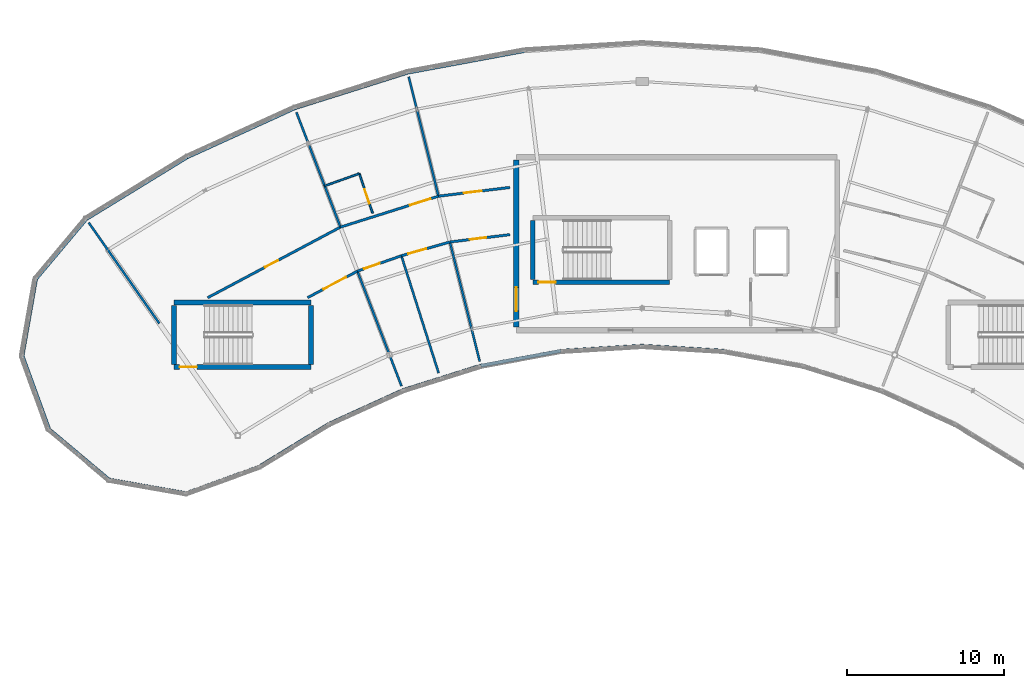
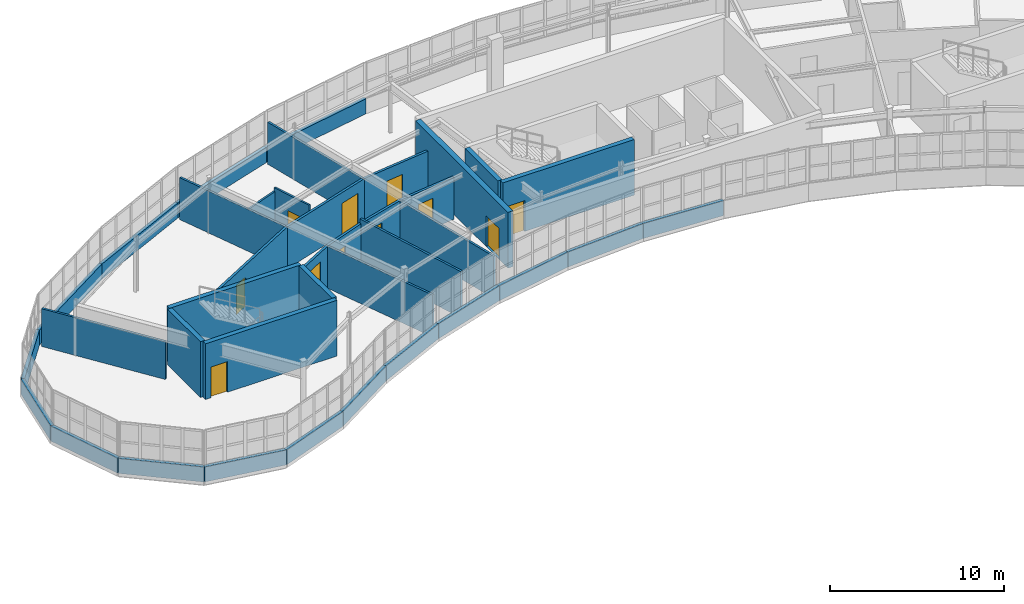
# One storey, part 68 of 79: 38 walls, 11 doors, 11 openings.
"""IFC4 building model written with IfcOpenShell, lengths in metres."""

from ifc_helpers import new_model, si_unit, direction, frame, frame_2d, origin, place, context, subcontext, project, spatial, rectangle, extrude, material, layer, layer_set, type_object, element, fill, save


model = new_model("IFC4")

# Units and contexts
model_context = context("Model", 3, precision=1e-05, world=origin(), true_north=direction((0.0, 1.0)))
body_context = subcontext(model_context, "Body", "Model", "MODEL_VIEW")
ifc_project = project(units=[si_unit("LENGTHUNIT", "METRE"), si_unit("AREAUNIT", "SQUARE_METRE"), si_unit("VOLUMEUNIT", "CUBIC_METRE"), si_unit("PLANEANGLEUNIT", "RADIAN"), si_unit("MASSUNIT", "GRAM", prefix="KILO")], contexts=[model_context])

# Site, building, storey
site_placement = place(None, origin())
site = spatial("IfcSite", under=ifc_project, at=site_placement, CompositionType="ELEMENT")
building_placement = place(site_placement, origin())
building = spatial("IfcBuilding", under=site, at=building_placement, Name="Tarnwether General Hospital", CompositionType="ELEMENT")
storey_placement = place(building_placement, frame((0.0, 0.0, 18.300048828125)))
storey = spatial("IfcBuildingStorey", under=building, at=storey_placement, Name="L04", CompositionType="ELEMENT", Elevation=18.300048828125)

# Walls
ifc_material_1 = material(Name="Streamlined white enamelled aluminium", Category="aluminium")
ifc_layer_1 = layer(ifc_material_1, 0.219970703125)
ifc_layer_set_1 = layer_set([ifc_layer_1], Name="Streamlined white enamelled aluminium")
wall_type_1 = type_object("IfcWallType", Name="WL-EX220", PredefinedType="STANDARD", material=ifc_layer_set_1)
wall_1_placement = place(storey_placement, frame((52.611083984375, 104.759033203125, 0.0), z_axis=(0.0, 0.0, 1.0), x_axis=(0.173426579259, 0.984846801085, 0.0)))
element("IfcWall", 1, at=wall_1_placement, inside=storey, type_object=wall_type_1, Name="Ward NW Streamlined White Spandrel EW-L04-0033", PredefinedType="STANDARD", context=body_context, shape_type="SweptSolid", body=[
    extrude(rectangle(XDim=4.96923828125, YDim=0.219970703125, at=frame_2d((2.484619140625, 0.0))), origin(), (0.0, 0.0, 1.0), 1.050048828125),
])
wall_2_placement = place(storey_placement, frame((54.31005859375, 100.090087890625, 0.0), z_axis=(0.0, 0.0, 1.0), x_axis=(-0.341952160632, 0.939717361678, 0.0)))
element("IfcWall", 2, at=wall_2_placement, inside=storey, type_object=wall_type_1, Name="Ward NW Streamlined White Spandrel EW-L04-0034", PredefinedType="STANDARD", context=body_context, shape_type="SweptSolid", body=[
    extrude(rectangle(XDim=4.968505859375, YDim=0.219970703125, at=frame_2d((2.484375, 0.0))), origin(), (0.0, 0.0, 1.0), 1.050048828125),
])
wall_3_placement = place(storey_placement, frame((58.116943359375, 96.89501953125, 0.0), z_axis=(0.0, 0.0, 1.0), x_axis=(-0.765973821879, 0.642871763415, 0.0)))
element("IfcWall", 3, at=wall_3_placement, inside=storey, type_object=wall_type_1, Name="Ward NW Streamlined White Spandrel EW-L04-0035", PredefinedType="STANDARD", context=body_context, shape_type="SweptSolid", body=[
    extrude(rectangle(XDim=4.969970703125, YDim=0.219970703125, at=frame_2d((2.48486328125, 0.0))), origin(), (0.0, 0.0, 1.0), 1.050048828125),
])
wall_4_placement = place(storey_placement, frame((63.010986328125, 96.031982421875, 0.0), z_axis=(0.0, 0.0, 1.0), x_axis=(-0.984804817938, 0.173664822479, 0.0)))
element("IfcWall", 4, at=wall_4_placement, inside=storey, type_object=wall_type_1, Name="Ward NW Streamlined White Spandrel EW-L04-0036", PredefinedType="STANDARD", context=body_context, shape_type="SweptSolid", body=[
    extrude(rectangle(XDim=4.969482421875, YDim=0.219970703125, at=frame_2d((2.48486328125, 0.0))), origin(), (0.0, 0.0, 1.0), 1.050048828125),
])
wall_5_placement = place(storey_placement, frame((67.679931640625, 97.73193359375, 0.0), z_axis=(0.0, 0.0, 1.0), x_axis=(-0.939654190044, -0.34212571247, 0.0)))
element("IfcWall", 5, at=wall_5_placement, inside=storey, type_object=wall_type_1, Name="Ward NW Streamlined White Spandrel EW-L04-0037", PredefinedType="STANDARD", context=body_context, shape_type="SweptSolid", body=[
    extrude(rectangle(XDim=4.96875, YDim=0.219970703125, at=frame_2d((2.484375, 0.0))), origin(), (0.0, 0.0, 1.0), 1.050048828125),
])
for number, where, z_axis, x_axis, name in (
    (6, (72.093994140625, 100.43701171875, 0.0), (0.0, 0.0, 1.0), (-0.852628362135, -0.522517823698, 0.0), "Ward NW Streamlined White Spandrel EW-L04-0038"),
    (7, (76.804931640625, 102.583984375, 0.0), (0.0, 0.0, 1.0), (-0.909955822384, -0.414705198074, 0.0), "Ward NW Streamlined White Spandrel EW-L04-0039"),
):
    element("IfcWall", number, at=place(storey_placement, frame(where, z_axis=z_axis, x_axis=x_axis)), inside=storey, type_object=wall_type_1, Name=name, PredefinedType="STANDARD", context=body_context, shape_type="SweptSolid", body=[
        extrude(rectangle(XDim=5.177001953125, YDim=0.219970703125, at=frame_2d((2.58837890625, 0.0))), origin(), (0.0, 0.0, 1.0), 1.050048828125),
    ])
wall_6_placement = place(storey_placement, frame((81.742919921875, 104.14111328125, 0.0), z_axis=(0.0, 0.0, 1.0), x_axis=(-0.953706582316, -0.300738681994, 0.0)))
element("IfcWall", 8, at=wall_6_placement, inside=storey, type_object=wall_type_1, Name="Ward NW Streamlined White Spandrel EW-L04-0040", PredefinedType="STANDARD", context=body_context, shape_type="SweptSolid", body=[
    extrude(rectangle(XDim=5.177734375, YDim=0.219970703125, at=frame_2d((2.5888671875, 0.0))), origin(), (0.0, 0.0, 1.0), 1.050048828125),
])
for number, where, z_axis, x_axis, name in (
    (9, (86.8330078125, 105.083984375, 0.0), (0.0, 0.0, 1.0), (-0.98327293422, -0.182138235501, 0.0), "Ward NW Streamlined White Spandrel EW-L04-0041"),
    (10, (92.0, 105.39990234375, 0.0), (0.0, 0.0, 1.0), (-0.998136079034, -0.061027598104, 0.0), "Ward NW Streamlined White Spandrel EW-L04-0042"),
    (11, (97.1669921875, 105.083984375, 0.0), (0.0, 0.0, 1.0), (-0.998136079034, 0.061027598104, 0.0), "Ward NW Streamlined White Spandrel EW-L04-0043"),
):
    element("IfcWall", number, at=place(storey_placement, frame(where, z_axis=z_axis, x_axis=x_axis)), inside=storey, type_object=wall_type_1, Name=name, PredefinedType="STANDARD", context=body_context, shape_type="SweptSolid", body=[
        extrude(rectangle(XDim=5.1767578125, YDim=0.219970703125, at=frame_2d((2.58837890625, 0.0))), origin(), (0.0, 0.0, 1.0), 1.050048828125),
    ])
wall_7_placement = place(storey_placement, frame((77.097900390625, 122.77001953125, 0.0), z_axis=(0.0, 0.0, 1.0), x_axis=(0.983242805192, 0.18230081195, 0.0)))
element("IfcWall", 12, at=wall_7_placement, inside=storey, type_object=wall_type_1, Name="Ward NW Streamlined White Spandrel EW-L04-0060", PredefinedType="STANDARD", context=body_context, shape_type="SweptSolid", body=[
    extrude(rectangle(XDim=7.52099609375, YDim=0.219970703125, at=frame_2d((3.760498046875, 0.0))), origin(), (0.0, 0.0, 1.0), 1.050048828125),
])
wall_8_placement = place(storey_placement, frame((69.925048828125, 120.509033203125, 0.0), z_axis=(0.0, 0.0, 1.0), x_axis=(0.953740021466, 0.300632618747, 0.0)))
element("IfcWall", 13, at=wall_8_placement, inside=storey, type_object=wall_type_1, Name="Ward NW Streamlined White Spandrel EW-L04-0061", PredefinedType="STANDARD", context=body_context, shape_type="SweptSolid", body=[
    extrude(rectangle(XDim=7.520751953125, YDim=0.219970703125, at=frame_2d((3.76025390625, 0.0))), origin(), (0.0, 0.0, 1.0), 1.050048828125),
])
wall_9_placement = place(storey_placement, frame((63.0810546875, 117.389892578125, 0.0), z_axis=(0.0, 0.0, 1.0), x_axis=(0.909953604353, 0.414710064895, 0.0)))
element("IfcWall", 14, at=wall_9_placement, inside=storey, type_object=wall_type_1, Name="Ward NW Streamlined White Spandrel EW-L04-0062", PredefinedType="STANDARD", context=body_context, shape_type="SweptSolid", body=[
    extrude(rectangle(XDim=7.521240234375, YDim=0.219970703125, at=frame_2d((3.7607421875, 0.0))), origin(), (0.0, 0.0, 1.0), 1.050048828125),
])
wall_10_placement = place(storey_placement, frame((56.66796875, 113.4599609375, 0.0), z_axis=(0.0, 0.0, 1.0), x_axis=(0.852640903338, 0.522497358803, 0.0)))
element("IfcWall", 15, at=wall_10_placement, inside=storey, type_object=wall_type_1, Name="Ward NW Streamlined White Spandrel EW-L04-0063", PredefinedType="STANDARD", context=body_context, shape_type="SweptSolid", body=[
    extrude(rectangle(XDim=7.521484375, YDim=0.219970703125, at=frame_2d((3.7607421875, 0.0))), origin(), (0.0, 0.0, 1.0), 1.050048828125),
])
wall_11_placement = place(storey_placement, frame((53.472900390625, 109.653076171875, 0.0), z_axis=(0.0, 0.0, 1.0), x_axis=(0.642871763415, 0.765973821879, 0.0)))
element("IfcWall", 16, at=wall_11_placement, inside=storey, type_object=wall_type_1, Name="Ward NW Streamlined White Spandrel EW-L04-0064", PredefinedType="STANDARD", context=body_context, shape_type="SweptSolid", body=[
    extrude(rectangle(XDim=4.969970703125, YDim=0.219970703125, at=frame_2d((2.48486328125, 0.0))), origin(), (0.0, 0.0, 1.0), 1.050048828125),
])

# Wall, opening, door
ifc_material_2 = material(Name="Gypsum plasterboard")
ifc_layer_2 = layer(ifc_material_2, 0.1201171875)
ifc_layer_set_2 = layer_set([ifc_layer_2], Name="Gypsum plasterboard")
wall_type_2 = type_object("IfcWallType", Name="WL-PT120", PredefinedType="PARTITIONING", material=ifc_layer_set_2)
wall_12_placement = place(storey_placement, frame((74.873046875, 113.83203125, 0.0), z_axis=(0.0, 0.0, 1.0), x_axis=(-0.319199781595, 0.947687448176, 0.0)))
wall_12 = element("IfcWall", 17, at=wall_12_placement, inside=storey, type_object=wall_type_2, Name="Interior Partition PT-L04-0376", PredefinedType="PARTITIONING", context=body_context, shape_type="SweptSolid", body=[
    extrude(rectangle(XDim=2.66015625, YDim=0.1201171875, at=frame_2d((1.330078125, 0.0))), origin(), (0.0, 0.0, 1.0), 3.18896484375),
])
opening_1_placement = place(wall_12_placement, frame((0.64990234375, 0.0, 0.0)))
opening_1 = element("IfcOpeningElement", 18, at=opening_1_placement, cuts=wall_12, Name="Opening D-10", PredefinedType="OPENING", context=body_context, shape_type="SweptSolid", body=[
    extrude(rectangle(XDim=0.9599609375, YDim=2.06005859375, at=frame_2d((0.47998046875, 1.030029296875))), frame((0.0, 0.070068359375, 0.0), z_axis=(0.0, -1.0, 0.0), x_axis=(1.0, 0.0, 0.0)), (0.0, 0.0, 1.0), 0.14013671875),
])
ifc_material_3 = material(Name="Anodised aluminium", Category="aluminium")
door_type_1 = type_object("IfcDoorType", Name="DR-IN10", OperationType="NOTDEFINED", PredefinedType="DOOR", material=ifc_material_3)
door_1_placement = place(opening_1_placement, origin())
door_1 = element("IfcDoor", 19, at=door_1_placement, inside=storey, type_object=door_type_1, Name="Interior Door DR-L04-0209", OperationType="SINGLE_SWING_LEFT", OverallHeight=2.06005859375, OverallWidth=0.9599609375, PredefinedType="DOOR", context=body_context, shape_type="SweptSolid", body=[
    extrude(rectangle(XDim=0.9599609375, YDim=2.06005859375, at=frame_2d((0.47998046875, 1.030029296875))), frame((0.0, 0.02490234375, 0.0), z_axis=(0.0, -1.0, 0.0), x_axis=(1.0, 0.0, 0.0)), (0.0, 0.0, 1.0), 0.050048828125),
])
fill(opening_1, door_1)

# Walls
wall_13_placement = place(storey_placement, frame((71.823974609375, 115.56103515625, 0.0), z_axis=(0.0, 0.0, 1.0), x_axis=(0.940886080788, 0.338723165695, 0.0)))
element("IfcWall", 20, at=wall_13_placement, inside=storey, type_object=wall_type_2, Name="Interior Partition PT-L04-0377", PredefinedType="PARTITIONING", context=body_context, shape_type="SweptSolid", body=[
    extrude(rectangle(XDim=2.338134765625, YDim=0.1201171875, at=frame_2d((1.1689453125, 0.0))), origin(), (0.0, 0.0, 1.0), 2.932861328125),
])
ifc_material_4 = material(Name="Gypsum plasterboard")
ifc_layer_3 = layer(ifc_material_4, 0.139892578125)
ifc_layer_set_3 = layer_set([ifc_layer_3], Name="Gypsum plasterboard")
wall_type_3 = type_object("IfcWallType", Name="WL-PT140", PredefinedType="PARTITIONING", material=ifc_layer_set_3)
wall_14_placement = place(storey_placement, frame((72.826904296875, 112.947021484375, 0.0), z_axis=(0.0, 0.0, 1.0), x_axis=(-0.358342954102, 0.933590020965, 0.0)))
element("IfcWall", 21, at=wall_14_placement, inside=storey, type_object=wall_type_3, Name="Interior Partition PT-L04-0373", PredefinedType="PARTITIONING", context=body_context, shape_type="SweptSolid", body=[
    extrude(rectangle(XDim=7.8193359375, YDim=0.139892578125, at=frame_2d((3.90966796875, 0.0))), origin(), (0.0, 0.0, 1.0), 2.932861328125),
])
wall_15_placement = place(storey_placement, frame((73.902099609375, 110.14599609375, 0.0), z_axis=(0.0, 0.0, 1.0), x_axis=(0.358410014332, -0.933564278251, 0.0)))
element("IfcWall", 22, at=wall_15_placement, inside=storey, type_object=wall_type_3, Name="Interior Partition PT-L04-0375", PredefinedType="PARTITIONING", context=body_context, shape_type="SweptSolid", body=[
    extrude(rectangle(XDim=7.820556640625, YDim=0.139892578125, at=frame_2d((3.91015625, 0.0))), origin(), (0.0, 0.0, 1.0), 2.932861328125),
])
wall_16_placement = place(storey_placement, frame((79.056884765625, 114.910888671875, 0.0), z_axis=(0.0, 0.0, 1.0), x_axis=(-0.241911207257, 0.970298391117, 0.0)))
element("IfcWall", 23, at=wall_16_placement, inside=storey, type_object=wall_type_3, Name="Interior Partition PT-L04-0379", PredefinedType="PARTITIONING", context=body_context, shape_type="SweptSolid", body=[
    extrude(rectangle(XDim=7.8203125, YDim=0.139892578125, at=frame_2d((3.91015625, 0.0))), origin(), (0.0, 0.0, 1.0), 2.93798828125),
])
wall_17_placement = place(storey_placement, frame((76.697021484375, 111.125, 0.0), z_axis=(0.0, 0.0, 1.0), x_axis=(0.302952343331, -0.95300570705, 0.0)))
element("IfcWall", 24, at=wall_17_placement, inside=storey, type_object=wall_type_3, Name="Interior Partition PT-L04-0380", PredefinedType="PARTITIONING", context=body_context, shape_type="SweptSolid", body=[
    extrude(rectangle(XDim=7.8193359375, YDim=0.139892578125, at=frame_2d((3.90966796875, 0.0))), origin(), (0.0, 0.0, 1.0), 3.240966796875),
])
wall_18_placement = place(storey_placement, frame((79.782958984375, 112.0, 0.0), z_axis=(0.0, 0.0, 1.0), x_axis=(0.241947927131, -0.970289235515, 0.0)))
element("IfcWall", 25, at=wall_18_placement, inside=storey, type_object=wall_type_3, Name="Interior Partition PT-L04-0383", PredefinedType="PARTITIONING", context=body_context, shape_type="SweptSolid", body=[
    extrude(rectangle(XDim=7.8203125, YDim=0.139892578125, at=frame_2d((3.91015625, 0.0))), origin(), (0.0, 0.0, 1.0), 2.93798828125),
])
wall_19_placement = place(storey_placement, frame((61.31396484375, 106.824951171875, 0.0), z_axis=(0.0, 0.0, 1.0), x_axis=(-0.573682336084, 0.819077882295, 0.0)))
element("IfcWall", 26, at=wall_19_placement, inside=storey, type_object=wall_type_3, Name="Interior Partition PT-L04-0397", PredefinedType="PARTITIONING", context=body_context, shape_type="SweptSolid", body=[
    extrude(rectangle(XDim=7.81982421875, YDim=0.139892578125, at=frame_2d((3.909912109375, 0.0))), origin(), (0.0, 0.0, 1.0), 2.64501953125),
])

# Wall, opening, door
ifc_material_5 = material(Name="Gypsum plasterboard")
ifc_layer_4 = layer(ifc_material_5, 0.159912109375)
ifc_layer_set_4 = layer_set([ifc_layer_4], Name="Gypsum plasterboard")
wall_type_4 = type_object("IfcWallType", Name="WL-PT160", PredefinedType="PARTITIONING", material=ifc_layer_set_4)
wall_20_placement = place(storey_placement, frame((64.388916015625, 108.4599609375, 0.0), z_axis=(0.0, 0.0, 1.0), x_axis=(0.882925792416, 0.46951256116, 0.0)))
wall_20 = element("IfcWall", 27, at=wall_20_placement, inside=storey, type_object=wall_type_4, Name="Interior Partition PT-L04-0372", PredefinedType="PARTITIONING", context=body_context, shape_type="SweptSolid", body=[
    extrude(rectangle(XDim=9.556884765625, YDim=0.159912109375, at=frame_2d((4.7783203125, 0.0))), origin(), (0.0, 0.0, 1.0), 2.932861328125),
])
opening_2_placement = place(wall_20_placement, frame((4.12890625, 0.0, 0.0)))
opening_2 = element("IfcOpeningElement", 28, at=opening_2_placement, cuts=wall_20, Name="Opening D-12", PredefinedType="OPENING", context=body_context, shape_type="SweptSolid", body=[
    extrude(rectangle(XDim=0.919921875, YDim=2.0400390625, at=frame_2d((0.4599609375, 1.02001953125))), frame((0.0, 0.08984375, 0.0), z_axis=(0.0, -1.0, 0.0), x_axis=(1.0, 0.0, 0.0)), (0.0, 0.0, 1.0), 0.179931640625),
])
ifc_material_6 = material(Name="Anodised aluminium", Category="aluminium")
door_type_2 = type_object("IfcDoorType", Name="DR-IN12", OperationType="NOTDEFINED", PredefinedType="DOOR", material=ifc_material_6)
door_2_placement = place(opening_2_placement, origin())
door_2 = element("IfcDoor", 29, at=door_2_placement, inside=storey, type_object=door_type_2, Name="Interior Door DR-L04-0207", OperationType="SINGLE_SWING_LEFT", OverallHeight=2.0400390625, OverallWidth=0.919921875, PredefinedType="DOOR", context=body_context, shape_type="SweptSolid", body=[
    extrude(rectangle(XDim=0.919921875, YDim=2.0400390625, at=frame_2d((0.4599609375, 1.02001953125))), frame((0.0, 0.02490234375, 0.0), z_axis=(0.0, -1.0, 0.0), x_axis=(1.0, 0.0, 0.0)), (0.0, 0.0, 1.0), 0.050048828125),
])
fill(opening_2, door_2)

wall_21_placement = place(storey_placement, frame((70.73095703125, 108.4599609375, 0.0), z_axis=(0.0, 0.0, 1.0), x_axis=(0.882958125757, 0.46945175275, 0.0)))
wall_21 = element("IfcWall", 30, at=wall_21_placement, inside=storey, type_object=wall_type_4, Name="Interior Partition PT-L04-0374", PredefinedType="PARTITIONING", context=body_context, shape_type="SweptSolid", body=[
    extrude(rectangle(XDim=3.591552734375, YDim=0.159912109375, at=frame_2d((1.7958984375, 0.0))), origin(), (0.0, 0.0, 1.0), 2.932861328125),
])
opening_3_placement = place(wall_21_placement, frame((1.14599609375, 0.0, 0.0)))
opening_3 = element("IfcOpeningElement", 31, at=opening_3_placement, cuts=wall_21, Name="Opening SD-02", PredefinedType="OPENING", context=body_context, shape_type="SweptSolid", body=[
    extrude(rectangle(XDim=1.6201171875, YDim=2.300048828125, at=frame_2d((0.81005859375, 1.14990234375))), frame((0.0, 0.08984375, 0.0), z_axis=(0.0, -1.0, 0.0), x_axis=(1.0, 0.0, 0.0)), (0.0, 0.0, 1.0), 0.179931640625),
])
ifc_material_7 = material(Name="Anodised aluminium", Category="aluminium")
door_type_3 = type_object("IfcDoorType", Name="DR-OR02", OperationType="NOTDEFINED", PredefinedType="DOOR", material=ifc_material_7)
door_3_placement = place(opening_3_placement, origin())
door_3 = element("IfcDoor", 32, at=door_3_placement, inside=storey, type_object=door_type_3, Name="Interior Door DR-L04-0208", OperationType="SLIDING_TO_RIGHT", OverallHeight=2.300048828125, OverallWidth=1.6201171875, PredefinedType="DOOR", context=body_context, shape_type="SweptSolid", body=[
    extrude(rectangle(XDim=1.6201171875, YDim=2.300048828125, at=frame_2d((0.81005859375, 1.14990234375))), frame((0.0, 0.02490234375, 0.0), z_axis=(0.0, -1.0, 0.0), x_axis=(1.0, 0.0, 0.0)), (0.0, 0.0, 1.0), 0.050048828125),
])
fill(opening_3, door_3)

wall_22_placement = place(storey_placement, frame((72.826904296875, 112.947021484375, 0.0), z_axis=(0.0, 0.0, 1.0), x_axis=(0.953736183483, 0.30064479426, 0.0)))
wall_22 = element("IfcWall", 33, at=wall_22_placement, inside=storey, type_object=wall_type_4, Name="Interior Partition PT-L04-0378", PredefinedType="PARTITIONING", context=body_context, shape_type="SweptSolid", body=[
    extrude(rectangle(XDim=6.5322265625, YDim=0.159912109375, at=frame_2d((3.26611328125, 0.0))), origin(), (0.0, 0.0, 1.0), 2.932861328125),
])
opening_4_placement = place(wall_22_placement, frame((4.632080078125, 0.0, 0.0)))
opening_4 = element("IfcOpeningElement", 34, at=opening_4_placement, cuts=wall_22, Name="Opening D-02", PredefinedType="OPENING", context=body_context, shape_type="SweptSolid", body=[
    extrude(rectangle(XDim=1.360107421875, YDim=2.179931640625, at=frame_2d((0.68017578125, 1.08984375))), frame((0.0, 0.08984375, 0.0), z_axis=(0.0, -1.0, 0.0), x_axis=(1.0, 0.0, 0.0)), (0.0, 0.0, 1.0), 0.179931640625),
])
ifc_material_8 = material(Name="Anodised aluminium", Category="aluminium")
door_type_4 = type_object("IfcDoorType", Name="DR-IN02", OperationType="NOTDEFINED", PredefinedType="DOOR", material=ifc_material_8)
door_4_placement = place(opening_4_placement, origin())
door_4 = element("IfcDoor", 35, at=door_4_placement, inside=storey, type_object=door_type_4, Name="Interior Door DR-L04-0210", OperationType="SINGLE_SWING_RIGHT", OverallHeight=2.179931640625, OverallWidth=1.360107421875, PredefinedType="DOOR", context=body_context, shape_type="SweptSolid", body=[
    extrude(rectangle(XDim=1.360107421875, YDim=2.179931640625, at=frame_2d((0.68017578125, 1.08984375))), frame((0.0, 0.02490234375, 0.0), z_axis=(0.0, -1.0, 0.0), x_axis=(1.0, 0.0, 0.0)), (0.0, 0.0, 1.0), 0.050048828125),
])
fill(opening_4, door_4)

wall_23_placement = place(storey_placement, frame((73.902099609375, 110.14599609375, 0.0), z_axis=(0.0, 0.0, 1.0), x_axis=(0.943776070457, 0.330585433485, 0.0)))
wall_23 = element("IfcWall", 36, at=wall_23_placement, inside=storey, type_object=wall_type_4, Name="Interior Partition PT-L04-0381", PredefinedType="PARTITIONING", context=body_context, shape_type="SweptSolid", body=[
    extrude(rectangle(XDim=2.96142578125, YDim=0.159912109375, at=frame_2d((1.480712890625, 0.0))), origin(), (0.0, 0.0, 1.0), 2.932861328125),
])
opening_5_placement = place(wall_23_placement, frame((0.449951171875, 0.0, 0.0)))
opening_5 = element("IfcOpeningElement", 37, at=opening_5_placement, cuts=wall_23, Name="Opening D-08", PredefinedType="OPENING", context=body_context, shape_type="SweptSolid", body=[
    extrude(rectangle(XDim=1.06005859375, YDim=2.10009765625, at=frame_2d((0.530029296875, 1.050048828125))), frame((0.0, 0.08984375, 0.0), z_axis=(0.0, -1.0, 0.0), x_axis=(1.0, 0.0, 0.0)), (0.0, 0.0, 1.0), 0.179931640625),
])
ifc_material_9 = material(Name="Anodised aluminium", Category="aluminium")
door_type_5 = type_object("IfcDoorType", Name="DR-IN08", OperationType="NOTDEFINED", PredefinedType="DOOR", material=ifc_material_9)
door_5_placement = place(opening_5_placement, origin())
door_5 = element("IfcDoor", 38, at=door_5_placement, inside=storey, type_object=door_type_5, Name="Interior Door DR-L04-0211", OperationType="SINGLE_SWING_LEFT", OverallHeight=2.10009765625, OverallWidth=1.06005859375, PredefinedType="DOOR", context=body_context, shape_type="SweptSolid", body=[
    extrude(rectangle(XDim=1.06005859375, YDim=2.10009765625, at=frame_2d((0.530029296875, 1.050048828125))), frame((0.0, 0.02490234375, 0.0), z_axis=(0.0, -1.0, 0.0), x_axis=(1.0, 0.0, 0.0)), (0.0, 0.0, 1.0), 0.050048828125),
])
fill(opening_5, door_5)

wall_24_placement = place(storey_placement, frame((76.697021484375, 111.125, 0.0), z_axis=(0.0, 0.0, 1.0), x_axis=(0.962073473599, 0.272790453274, 0.0)))
wall_24 = element("IfcWall", 39, at=wall_24_placement, inside=storey, type_object=wall_type_4, Name="Interior Partition PT-L04-0382", PredefinedType="PARTITIONING", context=body_context, shape_type="SweptSolid", body=[
    extrude(rectangle(XDim=3.20751953125, YDim=0.159912109375, at=frame_2d((1.603759765625, 0.0))), origin(), (0.0, 0.0, 1.0), 2.93798828125),
])
opening_6_placement = place(wall_24_placement, frame((0.449951171875, 0.0, 0.0)))
opening_6 = element("IfcOpeningElement", 40, at=opening_6_placement, cuts=wall_24, Name="Opening D-05", PredefinedType="OPENING", context=body_context, shape_type="SweptSolid", body=[
    extrude(rectangle(XDim=1.199951171875, YDim=2.1201171875, at=frame_2d((0.60009765625, 1.06005859375))), frame((0.0, 0.08984375, 0.0), z_axis=(0.0, -1.0, 0.0), x_axis=(1.0, 0.0, 0.0)), (0.0, 0.0, 1.0), 0.179931640625),
])
ifc_material_10 = material(Name="Anodised aluminium", Category="aluminium")
door_type_6 = type_object("IfcDoorType", Name="DR-IN05", OperationType="NOTDEFINED", PredefinedType="DOOR", material=ifc_material_10)
door_6_placement = place(opening_6_placement, origin())
door_6 = element("IfcDoor", 41, at=door_6_placement, inside=storey, type_object=door_type_6, Name="Interior Door DR-L04-0212", OperationType="SINGLE_SWING_RIGHT", OverallHeight=2.1201171875, OverallWidth=1.199951171875, PredefinedType="DOOR", context=body_context, shape_type="SweptSolid", body=[
    extrude(rectangle(XDim=1.199951171875, YDim=2.1201171875, at=frame_2d((0.60009765625, 1.06005859375))), frame((0.0, 0.02490234375, 0.0), z_axis=(0.0, -1.0, 0.0), x_axis=(1.0, 0.0, 0.0)), (0.0, 0.0, 1.0), 0.050048828125),
])
fill(opening_6, door_6)

wall_25_placement = place(storey_placement, frame((79.056884765625, 114.910888671875, 0.0), z_axis=(0.0, 0.0, 1.0), x_axis=(0.992532332473, 0.121981838793, 0.0)))
wall_25 = element("IfcWall", 42, at=wall_25_placement, inside=storey, type_object=wall_type_4, Name="Interior Partition PT-L04-0384", PredefinedType="PARTITIONING", context=body_context, shape_type="SweptSolid", body=[
    extrude(rectangle(XDim=4.5673828125, YDim=0.159912109375, at=frame_2d((2.28369140625, 0.0))), origin(), (0.0, 0.0, 1.0), 2.93798828125),
])
opening_7_placement = place(wall_25_placement, frame((1.634033203125, 0.0, 0.0)))
opening_7 = element("IfcOpeningElement", 43, at=opening_7_placement, cuts=wall_25, Name="Opening D-07", PredefinedType="OPENING", context=body_context, shape_type="SweptSolid", body=[
    extrude(rectangle(XDim=1.1201171875, YDim=2.080078125, at=frame_2d((0.56005859375, 1.0400390625))), frame((0.0, 0.08984375, 0.0), z_axis=(0.0, -1.0, 0.0), x_axis=(1.0, 0.0, 0.0)), (0.0, 0.0, 1.0), 0.179931640625),
])
ifc_material_11 = material(Name="Anodised aluminium", Category="aluminium")
door_type_7 = type_object("IfcDoorType", Name="DR-IN07", OperationType="NOTDEFINED", PredefinedType="DOOR", material=ifc_material_11)
door_7_placement = place(opening_7_placement, origin())
door_7 = element("IfcDoor", 44, at=door_7_placement, inside=storey, type_object=door_type_7, Name="Interior Door DR-L04-0213", OperationType="SINGLE_SWING_LEFT", OverallHeight=2.080078125, OverallWidth=1.1201171875, PredefinedType="DOOR", context=body_context, shape_type="SweptSolid", body=[
    extrude(rectangle(XDim=1.1201171875, YDim=2.080078125, at=frame_2d((0.56005859375, 1.0400390625))), frame((0.0, 0.02490234375, 0.0), z_axis=(0.0, -1.0, 0.0), x_axis=(1.0, 0.0, 0.0)), (0.0, 0.0, 1.0), 0.050048828125),
])
fill(opening_7, door_7)

wall_26_placement = place(storey_placement, frame((79.782958984375, 112.0, 0.0), z_axis=(0.0, 0.0, 1.0), x_axis=(0.992559253302, 0.121762591482, 0.0)))
wall_26 = element("IfcWall", 45, at=wall_26_placement, inside=storey, type_object=wall_type_4, Name="Interior Partition PT-L04-0385", PredefinedType="PARTITIONING", context=body_context, shape_type="SweptSolid", body=[
    extrude(rectangle(XDim=3.835693359375, YDim=0.159912109375, at=frame_2d((1.91796875, 0.0))), origin(), (0.0, 0.0, 1.0), 2.93798828125),
])
opening_8_placement = place(wall_26_placement, frame((1.26806640625, 0.0, 0.0)))
opening_8 = element("IfcOpeningElement", 46, at=opening_8_placement, cuts=wall_26, Name="Opening D-08", PredefinedType="OPENING", context=body_context, shape_type="SweptSolid", body=[
    extrude(rectangle(XDim=1.06005859375, YDim=2.10009765625, at=frame_2d((0.530029296875, 1.050048828125))), frame((0.0, 0.08984375, 0.0), z_axis=(0.0, -1.0, 0.0), x_axis=(1.0, 0.0, 0.0)), (0.0, 0.0, 1.0), 0.179931640625),
])
door_8_placement = place(opening_8_placement, origin())
door_8 = element("IfcDoor", 47, at=door_8_placement, inside=storey, type_object=door_type_5, Name="Interior Door DR-L04-0214", OperationType="SINGLE_SWING_RIGHT", OverallHeight=2.10009765625, OverallWidth=1.06005859375, PredefinedType="DOOR", context=body_context, shape_type="SweptSolid", body=[
    extrude(rectangle(XDim=1.06005859375, YDim=2.10009765625, at=frame_2d((0.530029296875, 1.050048828125))), frame((0.0, 0.02490234375, 0.0), z_axis=(0.0, -1.0, 0.0), x_axis=(1.0, 0.0, 0.0)), (0.0, 0.0, 1.0), 0.050048828125),
])
fill(opening_8, door_8)

ifc_material_12 = material(Name="Concrete 50 MPa", Category="concrete")
ifc_layer_5 = layer(ifc_material_12, 0.300048828125)
ifc_layer_set_5 = layer_set([ifc_layer_5], Name="Concrete 50 MPa")
wall_type_5 = type_object("IfcWallType", Name="WL-SW300", PredefinedType="SHEAR", material=ifc_layer_set_5)
wall_27_placement = place(storey_placement, frame((85.050048828125, 109.449951171875, 0.0), z_axis=(0.0, 0.0, 1.0), x_axis=(1.0, 0.0, 0.0)))
wall_27 = element("IfcWall", 48, at=wall_27_placement, inside=storey, type_object=wall_type_5, Name="Stairwell Shear Wall STW-ST-01-L04-B", PredefinedType="SHEAR", context=body_context, shape_type="SweptSolid", body=[
    extrude(rectangle(XDim=8.699951171875, YDim=0.300048828125, at=frame_2d((4.35009765625, 0.0))), origin(), (0.0, 0.0, 1.0), 3.89990234375),
])
opening_9_placement = place(wall_27_placement, frame((0.35009765625, 0.0, 0.0)))
opening_9 = element("IfcOpeningElement", 49, at=opening_9_placement, cuts=wall_27, Name="Opening FD-06", PredefinedType="OPENING", context=body_context, shape_type="SweptSolid", body=[
    extrude(rectangle(XDim=1.10009765625, YDim=2.14990234375, at=frame_2d((0.550048828125, 1.074951171875))), frame((0.0, 0.16015625, 0.0), z_axis=(0.0, -1.0, 0.0), x_axis=(1.0, 0.0, 0.0)), (0.0, 0.0, 1.0), 0.320068359375),
])
ifc_material_13 = material(Name="Anodised aluminium", Category="aluminium")
door_type_8 = type_object("IfcDoorType", Name="DR-FD06", OperationType="NOTDEFINED", PredefinedType="DOOR", material=ifc_material_13)
door_9_placement = place(opening_9_placement, origin())
door_9 = element("IfcDoor", 50, at=door_9_placement, inside=storey, type_object=door_type_8, Name="Stairwell ST-01 Safe-Path Fire Door L04", OperationType="SINGLE_SWING_LEFT", OverallHeight=2.14990234375, OverallWidth=1.10009765625, PredefinedType="DOOR", context=body_context, shape_type="SweptSolid", body=[
    extrude(rectangle(XDim=1.10009765625, YDim=2.14990234375, at=frame_2d((0.550048828125, 1.074951171875))), frame((0.0, 0.02490234375, 0.0), z_axis=(0.0, -1.0, 0.0), x_axis=(1.0, 0.0, 0.0)), (0.0, 0.0, 1.0), 0.050048828125),
])
fill(opening_9, door_9)

# Wall
wall_28_placement = place(storey_placement, frame((85.050048828125, 109.6201171875, 0.0), z_axis=(0.0, 0.0, 1.0), x_axis=(0.0, 1.0, 0.0)))
element("IfcWall", 51, at=wall_28_placement, inside=storey, type_object=wall_type_5, Name="Stairwell Shear Wall STW-ST-01-L04-L", PredefinedType="SHEAR", context=body_context, shape_type="SweptSolid", body=[
    extrude(rectangle(XDim=3.759765625, YDim=0.300048828125, at=frame_2d((1.8798828125, 0.0))), origin(), (0.0, 0.0, 1.0), 3.89990234375),
])

# Wall, opening, door
wall_29_placement = place(storey_placement, frame((62.25, 104.050048828125, 0.0), z_axis=(0.0, 0.0, 1.0), x_axis=(1.0, 0.0, 0.0)))
wall_29 = element("IfcWall", 52, at=wall_29_placement, inside=storey, type_object=wall_type_5, Name="Stairwell Shear Wall STW-ST-07-L04-B", PredefinedType="SHEAR", context=body_context, shape_type="SweptSolid", body=[
    extrude(rectangle(XDim=8.699951171875, YDim=0.300048828125, at=frame_2d((4.35009765625, 0.0))), origin(), (0.0, 0.0, 1.0), 3.89990234375),
])
opening_10_placement = place(wall_29_placement, frame((0.35009765625, 0.0, 0.0)))
opening_10 = element("IfcOpeningElement", 53, at=opening_10_placement, cuts=wall_29, Name="Opening FD-06", PredefinedType="OPENING", context=body_context, shape_type="SweptSolid", body=[
    extrude(rectangle(XDim=1.10009765625, YDim=2.14990234375, at=frame_2d((0.550048828125, 1.074951171875))), frame((0.0, 0.16015625, 0.0), z_axis=(0.0, -1.0, 0.0), x_axis=(1.0, 0.0, 0.0)), (0.0, 0.0, 1.0), 0.320068359375),
])
door_10_placement = place(opening_10_placement, origin())
door_10 = element("IfcDoor", 54, at=door_10_placement, inside=storey, type_object=door_type_8, Name="Stairwell ST-07 Safe-Path Fire Door L04", OperationType="SINGLE_SWING_RIGHT", OverallHeight=2.14990234375, OverallWidth=1.10009765625, PredefinedType="DOOR", context=body_context, shape_type="SweptSolid", body=[
    extrude(rectangle(XDim=1.10009765625, YDim=2.14990234375, at=frame_2d((0.550048828125, 1.074951171875))), frame((0.0, 0.02490234375, 0.0), z_axis=(0.0, -1.0, 0.0), x_axis=(1.0, 0.0, 0.0)), (0.0, 0.0, 1.0), 0.050048828125),
])
fill(opening_10, door_10)

# Walls
wall_30_placement = place(storey_placement, frame((70.949951171875, 108.14990234375, 0.0), z_axis=(0.0, 0.0, 1.0), x_axis=(-1.0, 0.0, 0.0)))
element("IfcWall", 55, at=wall_30_placement, inside=storey, type_object=wall_type_5, Name="Stairwell Shear Wall STW-ST-07-L04-N", PredefinedType="SHEAR", context=body_context, shape_type="SweptSolid", body=[
    extrude(rectangle(XDim=8.699951171875, YDim=0.300048828125, at=frame_2d((4.35009765625, 0.0))), origin(), (0.0, 0.0, 1.0), 3.89990234375),
])
for number, where, z_axis, x_axis, name in (
    (56, (62.25, 104.219970703125, 0.0), (0.0, 0.0, 1.0), (0.0, 1.0, 0.0), "Stairwell Shear Wall STW-ST-07-L04-L"),
    (57, (70.949951171875, 104.219970703125, 0.0), (0.0, 0.0, 1.0), (0.0, 1.0, 0.0), "Stairwell Shear Wall STW-ST-07-L04-F"),
):
    element("IfcWall", number, at=place(storey_placement, frame(where, z_axis=z_axis, x_axis=x_axis)), inside=storey, type_object=wall_type_5, Name=name, PredefinedType="SHEAR", context=body_context, shape_type="SweptSolid", body=[
        extrude(rectangle(XDim=3.760009765625, YDim=0.300048828125, at=frame_2d((1.8798828125, 0.0))), origin(), (0.0, 0.0, 1.0), 3.89990234375),
    ])

# Wall, opening, door
ifc_material_14 = material(Name="Concrete 50 MPa", Category="concrete")
ifc_layer_6 = layer(ifc_material_14, 0.35009765625)
ifc_layer_set_6 = layer_set([ifc_layer_6], Name="Concrete 50 MPa")
wall_type_6 = type_object("IfcWallType", Name="WL-SW350", PredefinedType="SHEAR", material=ifc_layer_set_6)
wall_31_placement = place(storey_placement, frame((84.0, 106.60009765625, 0.0), z_axis=(0.0, 0.0, 1.0), x_axis=(0.0, 1.0, 0.0)))
wall_31 = element("IfcWall", 58, at=wall_31_placement, inside=storey, type_object=wall_type_6, Name="Core Shear Wall CWALL-K1-L04-W", PredefinedType="SHEAR", context=body_context, shape_type="SweptSolid", body=[
    extrude(rectangle(XDim=10.599853515625, YDim=0.35009765625, at=frame_2d((5.2998046875, 0.0))), origin(), (0.0, 0.0, 1.0), 3.89990234375),
])
opening_11_placement = place(wall_31_placement, frame((1.0, 0.0, 0.0)))
opening_11 = element("IfcOpeningElement", 59, at=opening_11_placement, cuts=wall_31, Name="Opening FD-02", PredefinedType="OPENING", context=body_context, shape_type="SweptSolid", body=[
    extrude(rectangle(XDim=1.52001953125, YDim=2.159912109375, at=frame_2d((0.760009765625, 1.080078125))), frame((0.0, 0.18505859375, 0.0), z_axis=(0.0, -1.0, 0.0), x_axis=(1.0, 0.0, 0.0)), (0.0, 0.0, 1.0), 0.3701171875),
])
ifc_material_15 = material(Name="Anodised aluminium", Category="aluminium")
door_type_9 = type_object("IfcDoorType", Name="DR-FD02", OperationType="NOTDEFINED", PredefinedType="DOOR", material=ifc_material_15)
door_11_placement = place(opening_11_placement, origin())
door_11 = element("IfcDoor", 60, at=door_11_placement, inside=storey, type_object=door_type_9, Name="Core K1 Ward Corridor Fire Door L04", OperationType="SINGLE_SWING_RIGHT", OverallHeight=2.159912109375, OverallWidth=1.52001953125, PredefinedType="DOOR", context=body_context, shape_type="SweptSolid", body=[
    extrude(rectangle(XDim=1.52001953125, YDim=2.159912109375, at=frame_2d((0.760009765625, 1.080078125))), frame((0.0, 0.02490234375, 0.0), z_axis=(0.0, -1.0, 0.0), x_axis=(1.0, 0.0, 0.0)), (0.0, 0.0, 1.0), 0.050048828125),
])
fill(opening_11, door_11)

save(model, "model.ifc")
